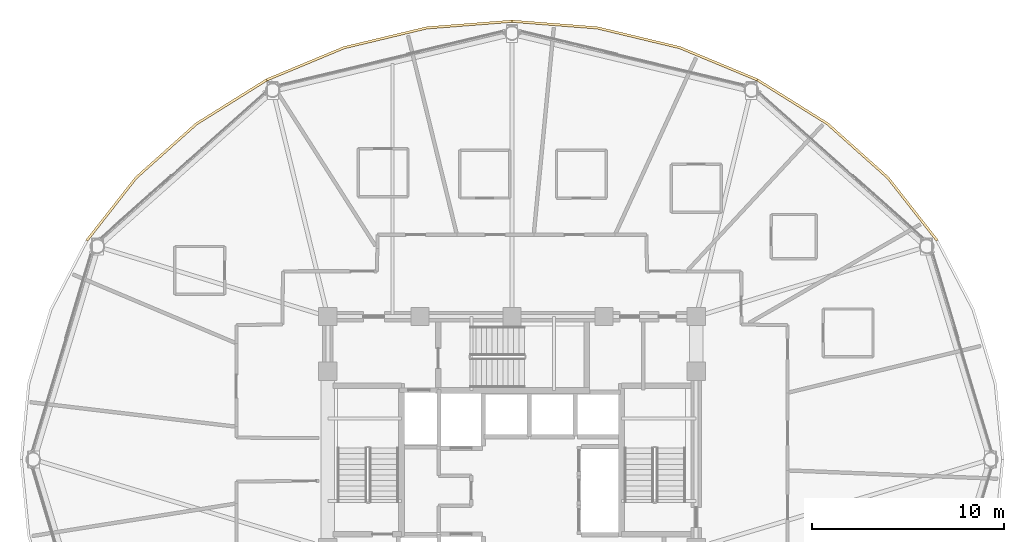
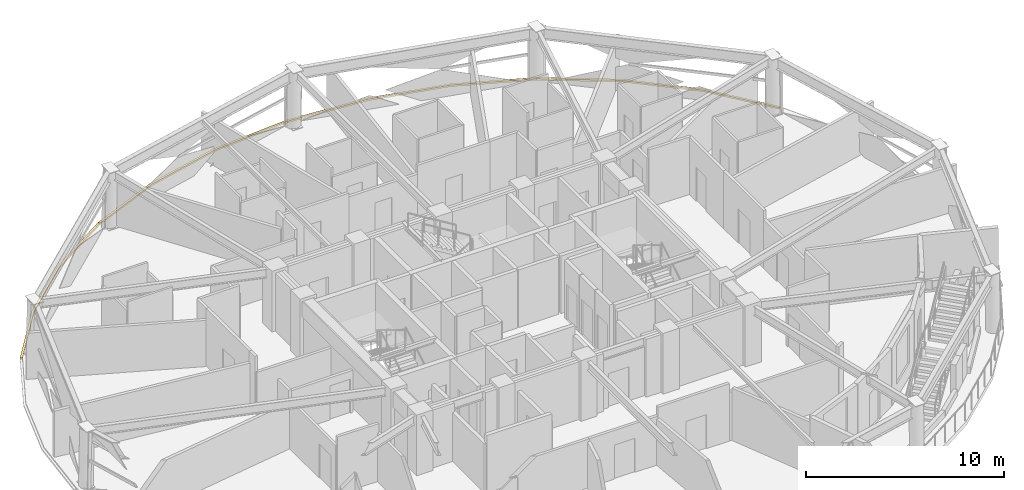
# One storey, part 18 of 18: 4 coverings.
"""IFC4 building model written with IfcOpenShell, lengths in metres."""

import ifcopenshell
import ifcopenshell.guid

model = None  # the IFC model being written
_history = None  # IfcOwnerHistory: only IFC2X3 demands one
_inside = {}  # id of a spatial element -> (the spatial element, [elements in it])
_under = {}  # id of a project, library or spatial element -> (it, [spatial elements below it])
_declared = {}  # id of a project -> (the project, [libraries it declares])
_typed = {}  # id of a type object -> (the type object, [elements of that type])
_made_of = {}  # id of a material, layer set ... -> (it, [elements and type objects made of it])


def new_model(schema):
    """Start an empty IFC model of exactly this schema.

    Asked for "IFC4X3", IfcOpenShell would pick the latest addendum, in which some entities
    have other attributes; the version numbers below select the first issue.
    IFC2X3 requires an IfcOwnerHistory on every rooted entity: one is made here for all.
    """
    global model, _history
    if schema == "IFC4X3":
        model = ifcopenshell.file(schema_version=(4, 3, 0, 0))
    else:
        model = ifcopenshell.file(schema=schema)
    _inside.clear()
    _under.clear()
    _declared.clear()
    _typed.clear()
    _made_of.clear()
    _history = None
    if model.schema == "IFC2X3":
        org = make("IfcOrganization", Name="unknown")
        user = make(
            "IfcPersonAndOrganization",
            ThePerson=make("IfcPerson", FamilyName="unknown"),
            TheOrganization=org,
        )
        app = make(
            "IfcApplication",
            ApplicationDeveloper=org,
            Version="unknown",
            ApplicationFullName="unknown",
            ApplicationIdentifier="unknown",
        )
        _history = make(
            "IfcOwnerHistory",
            OwningUser=user,
            OwningApplication=app,
            ChangeAction="ADDED",
            CreationDate=0,
        )
    return model


def make(cls, **values):
    """One entity of the class cls with the attributes given. An attribute that is None is left unset."""
    return model.create_entity(
        cls, **{name: value for name, value in values.items() if value is not None}
    )


def rooted(cls, **values):
    """An entity with a GlobalId (a new one), such as an element, a storey or a relation."""
    return make(cls, GlobalId=ifcopenshell.guid.new(), OwnerHistory=_history, **values)


def si_unit(unit_type, name, prefix=None):
    """IfcSIUnit, for example si_unit("LENGTHUNIT", "METRE", prefix="MILLI")."""
    return make("IfcSIUnit", UnitType=unit_type, Prefix=prefix, Name=name)


def assignment(units):
    """IfcUnitAssignment: the units of a project."""
    return None if units is None else make("IfcUnitAssignment", Units=units)


def point(xyz):
    """IfcCartesianPoint."""
    return None if xyz is None else make("IfcCartesianPoint", Coordinates=xyz)


def direction(xyz):
    """IfcDirection."""
    return None if xyz is None else make("IfcDirection", DirectionRatios=xyz)


def frame(location, z_axis=None, x_axis=None):
    """IfcAxis2Placement3D, a coordinate frame: its origin and axes. An axis left out is left unset."""
    return make(
        "IfcAxis2Placement3D",
        Location=point(location),
        Axis=direction(z_axis),
        RefDirection=direction(x_axis),
    )


def origin():
    """The frame at (0, 0, 0) with its axes left unset."""
    return frame((0.0, 0.0, 0.0))


def place(relative_to, where):
    """IfcLocalPlacement: puts the frame where relative to a parent placement (None: the world)."""
    return make(
        "IfcLocalPlacement", PlacementRelTo=relative_to, RelativePlacement=where
    )


def context(
    kind, dimensions, precision=None, world=None, true_north=None, identifier=None
):
    """IfcGeometricRepresentationContext, for example the 3D "Model" context."""
    return make(
        "IfcGeometricRepresentationContext",
        ContextIdentifier=identifier,
        ContextType=kind,
        CoordinateSpaceDimension=dimensions,
        Precision=precision,
        WorldCoordinateSystem=world,
        TrueNorth=true_north,
    )


def subcontext(parent, identifier, kind, view, scale=None):
    """IfcGeometricRepresentationSubContext, for example "Body" below "Model"."""
    return make(
        "IfcGeometricRepresentationSubContext",
        ContextIdentifier=identifier,
        ContextType=kind,
        ParentContext=parent,
        TargetScale=scale,
        TargetView=view,
    )


def project(units=None, contexts=None):
    """IfcProject with its units and contexts."""
    return rooted(
        "IfcProject",
        Name="project",
        RepresentationContexts=contexts,
        UnitsInContext=assignment(units),
    )


def spatial(cls, under=None, at=None, **own):
    """A site, building, storey or space (cls), placed at a placement, below another one or the project."""
    s = rooted(cls, ObjectPlacement=at, **own)
    if under is not None:
        _under.setdefault(under.id(), (under, []))[1].append(s)
    return s


def polyline(points):
    """IfcPolyline through the points."""
    return make("IfcPolyline", Points=[point(p) for p in points])


def outline(outer, holes=None, kind="AREA"):
    """IfcArbitraryClosedProfileDef: a profile drawn as a closed curve; with holes, ...WithVoids."""
    if holes is None:
        return make("IfcArbitraryClosedProfileDef", ProfileType=kind, OuterCurve=outer)
    return make(
        "IfcArbitraryProfileDefWithVoids",
        ProfileType=kind,
        OuterCurve=outer,
        InnerCurves=holes,
    )


def extrude(swept, where, along, depth):
    """IfcExtrudedAreaSolid: the profile swept, set in the frame where, extruded along a direction by depth."""
    return make(
        "IfcExtrudedAreaSolid",
        SweptArea=swept,
        Position=where,
        ExtrudedDirection=direction(along),
        Depth=depth,
    )


def shape(context_of_items, identifier, shape_type, items):
    """IfcShapeRepresentation: the items that make up one representation, for example the "Body"."""
    return make(
        "IfcShapeRepresentation",
        ContextOfItems=context_of_items,
        RepresentationIdentifier=identifier,
        RepresentationType=shape_type,
        Items=items,
    )


def material(Name=None, Category=None):
    """IfcMaterial."""
    return make("IfcMaterial", Name=Name, Category=Category)


def layer(
    of_material, thickness, ventilated=None, Name=None, Category=None, Priority=None
):
    """IfcMaterialLayer: one layer of a wall or slab, of a material (None: an air gap)."""
    return make(
        "IfcMaterialLayer",
        Material=of_material,
        LayerThickness=thickness,
        IsVentilated=ventilated,
        Name=Name,
        Category=Category,
        Priority=Priority,
    )


def layer_set(layers, Name=None):
    """IfcMaterialLayerSet."""
    return make("IfcMaterialLayerSet", MaterialLayers=layers, LayerSetName=Name)


def made_of(thing, what):
    """Note that an element or type object is made of a material, layer set ...; save() writes the relation."""
    if what is not None:
        _made_of.setdefault(what.id(), (what, []))[1].append(thing)
    return thing


def type_object(cls, material=None, **own):
    """A type object (cls), such as IfcWallType, which elements share."""
    return made_of(rooted(cls, **own), material)


def element(
    cls,
    number,
    at=None,
    inside=None,
    cuts=None,
    type_object=None,
    material=None,
    context=None,
    identifier="Body",
    shape_type=None,
    held_by="IfcProductDefinitionShape",
    body=None,
    shapes=None,
    **own,
):
    """One element of the class cls, such as IfcWall. Its Tag is "e" and its number.

    at: its placement. inside: the storey or other place that contains it. cuts: it is an
    opening in that element (IfcRelVoidsElement). A single representation is given by context,
    identifier, shape_type and body (its items); several are given by shapes. held_by: the class
    of the entity that holds the representations. save() writes the other relations.
    """
    e = rooted(cls, Tag="e%d" % number, ObjectPlacement=at, **own)
    if body is not None:
        shapes = [shape(context, identifier, shape_type, body)]
    if shapes is not None:
        e.Representation = make(held_by, Representations=shapes)
    if inside is not None:
        _inside.setdefault(inside.id(), (inside, []))[1].append(e)
    if cuts is not None:
        rooted(
            "IfcRelVoidsElement", RelatingBuildingElement=cuts, RelatedOpeningElement=e
        )
    if type_object is not None:
        _typed.setdefault(type_object.id(), (type_object, []))[1].append(e)
    return made_of(e, material)


def aggregate(whole, parts):
    """IfcRelAggregates: a whole, such as a stair, and the parts it consists of."""
    return rooted("IfcRelAggregates", RelatingObject=whole, RelatedObjects=parts)


def save(model, path):
    """Write the relations noted so far, then the file.

    IfcRelAggregates (storeys below a building ...), IfcRelContainedInSpatialStructure (elements
    in a storey), IfcRelDefinesByType, IfcRelAssociatesMaterial and IfcRelDeclares: one each for
    every whole, place, type object, material and project.
    """
    for whole, parts in _under.values():
        aggregate(whole, parts)
    for where, things in _inside.values():
        rooted(
            "IfcRelContainedInSpatialStructure",
            RelatedElements=things,
            RelatingStructure=where,
        )
    for kind, things in _typed.values():
        rooted("IfcRelDefinesByType", RelatedObjects=things, RelatingType=kind)
    for what, things in _made_of.values():
        rooted("IfcRelAssociatesMaterial", RelatedObjects=things, RelatingMaterial=what)
    for by, libraries in _declared.values():
        rooted("IfcRelDeclares", RelatingContext=by, RelatedDefinitions=libraries)
    model.write(path)


model = new_model("IFC4")

# Units and contexts
model_context = context("Model", 3, precision=1e-05, world=origin(), true_north=direction((0.0, 1.0)))
body_context = subcontext(model_context, "Body", "Model", "MODEL_VIEW")
ifc_project = project(units=[si_unit("LENGTHUNIT", "METRE"), si_unit("AREAUNIT", "SQUARE_METRE"), si_unit("VOLUMEUNIT", "CUBIC_METRE"), si_unit("PLANEANGLEUNIT", "RADIAN"), si_unit("MASSUNIT", "GRAM", prefix="KILO")], contexts=[model_context])

# Site, building, storey
site_placement = place(None, origin())
site = spatial("IfcSite", under=ifc_project, at=site_placement, CompositionType="ELEMENT")
building_placement = place(site_placement, origin())
building = spatial("IfcBuilding", under=site, at=building_placement, Name="Vantalir Tower", CompositionType="ELEMENT")
storey_placement = place(building_placement, frame((0.0, 0.0, 138.449951171875)))
storey = spatial("IfcBuildingStorey", under=building, at=storey_placement, Name="L34", CompositionType="ELEMENT", Elevation=138.449951171875)

# Coverings
ifc_material = material(Name="Anodised champagne aluminium sill fascia", Category="aluminium")
ifc_layer = layer(ifc_material, 0.125)
ifc_layer_set = layer_set([ifc_layer], Name="Anodised champagne aluminium sill fascia")
covering_type = type_object("IfcCoveringType", Name="COV-SLAB-FASCIA-125", PredefinedType="CLADDING", material=ifc_layer_set)
covering_1_placement = place(storey_placement, frame((0.0, 0.0, -0.179931640625)))
element("IfcCovering", 1, at=covering_1_placement, inside=storey, type_object=covering_type, Name="L34 Perimeter Slab-Edge Sill Fascia 02", PredefinedType="CLADDING", context=body_context, shape_type="SweptSolid", body=[
    extrude(outline(polyline([(53.7080078125, 36.455078125), (51.14404296875, 39.72607421875), (47.98388671875, 42.550048828125), (44.322021484375, 44.841064453125), (44.260009765625, 44.73193359375), (47.903076171875, 42.4541015625), (51.049072265625, 39.64599609375), (53.60009765625, 36.39208984375), (53.7080078125, 36.455078125)])), origin(), (0.0, 0.0, 1.0), 0.10498046875),
])
covering_2_placement = place(storey_placement, frame((0.0, 0.0, -0.179931640625)))
element("IfcCovering", 2, at=covering_2_placement, inside=storey, type_object=covering_type, Name="L34 Perimeter Slab-Edge Sill Fascia 03", PredefinedType="CLADDING", context=body_context, shape_type="SweptSolid", body=[
    extrude(outline(polyline([(44.322021484375, 44.841064453125), (40.27099609375, 46.528076171875), (35.952880859375, 47.56201171875), (31.5, 47.909912109375), (31.5, 47.784912109375), (35.930908203125, 47.43896484375), (40.22802734375, 46.410888671875), (44.260009765625, 44.73193359375), (44.322021484375, 44.841064453125)])), origin(), (0.0, 0.0, 1.0), 0.10498046875),
])
covering_3_placement = place(storey_placement, frame((0.0, 0.0, -0.179931640625)))
element("IfcCovering", 3, at=covering_3_placement, inside=storey, type_object=covering_type, Name="L34 Perimeter Slab-Edge Sill Fascia 04", PredefinedType="CLADDING", context=body_context, shape_type="SweptSolid", body=[
    extrude(outline(polyline([(31.5, 47.909912109375), (27.047119140625, 47.56201171875), (22.72900390625, 46.528076171875), (18.677978515625, 44.841064453125), (18.740966796875, 44.73193359375), (22.77197265625, 46.410888671875), (27.069091796875, 47.43896484375), (31.5, 47.784912109375), (31.5, 47.909912109375)])), origin(), (0.0, 0.0, 1.0), 0.10498046875),
])
covering_4_placement = place(storey_placement, frame((0.0, 0.0, -0.179931640625)))
element("IfcCovering", 4, at=covering_4_placement, inside=storey, type_object=covering_type, Name="L34 Perimeter Slab-Edge Sill Fascia 05", PredefinedType="CLADDING", context=body_context, shape_type="SweptSolid", body=[
    extrude(outline(polyline([(18.677978515625, 44.841064453125), (15.01611328125, 42.550048828125), (11.85595703125, 39.72607421875), (9.2919921875, 36.455078125), (9.39990234375, 36.39208984375), (11.950927734375, 39.64599609375), (15.096923828125, 42.4541015625), (18.740966796875, 44.73193359375), (18.677978515625, 44.841064453125)])), origin(), (0.0, 0.0, 1.0), 0.10498046875),
])

save(model, "model.ifc")
